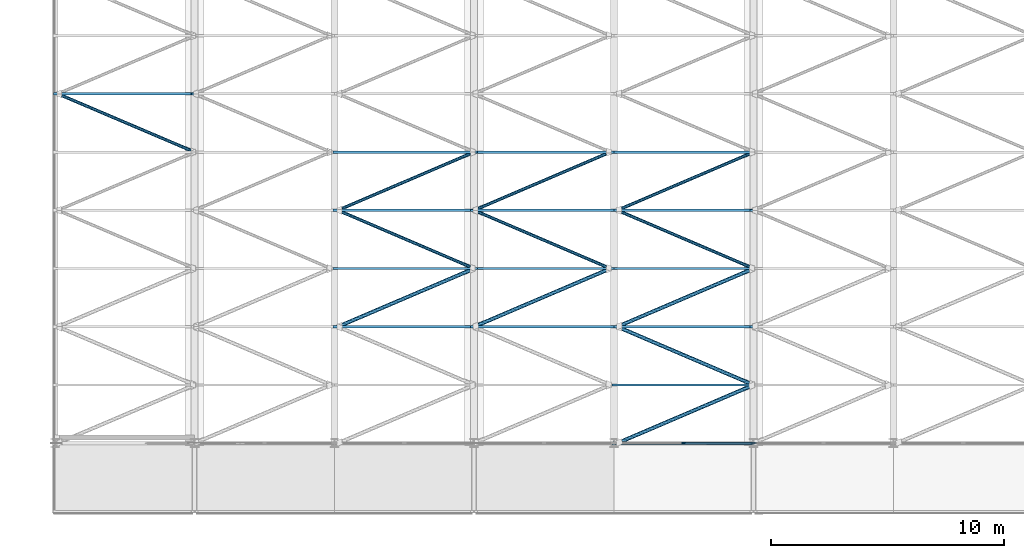
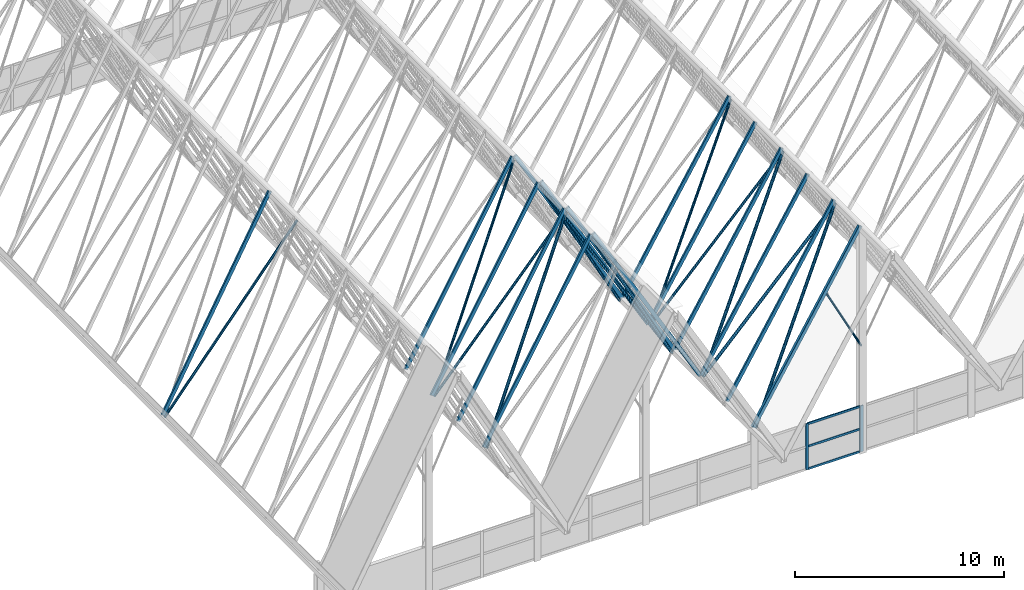
# One storey, part 14 of 483: 33 members, 1 beam, 2 elements without a shape of their own.
"""IFC4 building model written with IfcOpenShell, lengths in metres."""

from ifc_helpers import new_model, si_unit, direction, frame, origin, origin_2d, place, context, subcontext, project, spatial, rectangle, hollow_rectangle, hollow_circle, extrude, material, material_profile, profile_set, type_object, element, aggregate, save


model = new_model("IFC4")

# Units and contexts
model_context = context("Model", 3, precision=1e-05, world=origin(), true_north=direction((0.0, 1.0)))
body_context = subcontext(model_context, "Body", "Model", "MODEL_VIEW")
ifc_project = project(units=[si_unit("LENGTHUNIT", "METRE"), si_unit("AREAUNIT", "SQUARE_METRE"), si_unit("VOLUMEUNIT", "CUBIC_METRE"), si_unit("PLANEANGLEUNIT", "RADIAN"), si_unit("MASSUNIT", "GRAM", prefix="KILO")], contexts=[model_context])

# Site, building, storey
site_placement = place(None, origin())
site = spatial("IfcSite", under=ifc_project, at=site_placement, CompositionType="ELEMENT")
building_placement = place(site_placement, origin())
building = spatial("IfcBuilding", under=site, at=building_placement, Name="Parallax Yard Mobility Hub", CompositionType="ELEMENT")
storey_placement = place(building_placement, frame((0.0, 0.0, 13.199951171875)))
storey = spatial("IfcBuildingStorey", under=building, at=storey_placement, Name="L04", CompositionType="ELEMENT", Elevation=13.199951171875)

# Member
ifc_material_1 = material(Name="Steel ASTM A500 Gr C", Category="steel")
ifc_material_profile_1 = material_profile(ifc_material_1, hollow_circle(Radius=0.05712890625, WallThickness=0.006103515625, at=origin_2d()), Name="HSS114.3x6.0")
ifc_profile_set_1 = profile_set([ifc_material_profile_1], Name="Steel ASTM A500 Gr C")
member_type_1 = type_object("IfcMemberType", Name="Knee brace HSS114.3x6.0", PredefinedType="BRACE", material=ifc_profile_set_1)
member_1_placement = place(storey_placement, frame((39.0, 7.5, 6.2001953125), z_axis=(-0.460015544086, 0.0, 0.887910862193), x_axis=(0.0, -1.0, 0.0)))
element("IfcMember", 1, at=member_1_placement, inside=storey, type_object=member_type_1, Name="Gable knee brace F6 south west", PredefinedType="BRACE", context=body_context, shape_type="SweptSolid", body=[
    extrude(hollow_circle(Radius=0.05712890625, WallThickness=0.006103515625, at=origin_2d()), origin(), (0.0, 0.0, 1.0), 4.34765625),
])

# Curtain wall, members
ifc_material_2 = material(Name="Thermally broken aluminium curtain wall system", Category="aluminium")
curtain_wall_type = type_object("IfcCurtainWallType", Name="Curtain wall run 60 x 160 frame", PredefinedType="NOTDEFINED", material=ifc_material_2)
curtain_wall_1_placement = place(storey_placement, origin())
curtain_wall_1 = element("IfcCurtainWall", 2, at=curtain_wall_1_placement, inside=storey, type_object=curtain_wall_type, Name="Glazed gable end Bus and taxi deck south gable bay 5 level L04", PredefinedType="NOTDEFINED")
ifc_material_3 = material(Name="Extruded aluminium", Category="aluminium")
ifc_material_profile_2 = material_profile(ifc_material_3, rectangle(XDim=0.06005859375, YDim=0.159912109375, at=origin_2d()), Name="Mullion 60 x 160")
ifc_profile_set_2 = profile_set([ifc_material_profile_2], Name="Extruded aluminium")
member_type_2 = type_object("IfcMemberType", Name="Mullion 60 x 160", PredefinedType="MULLION", material=ifc_profile_set_2)
member_2_placement = place(storey_placement, frame((36.0, 7.5, 0.0), z_axis=(0.0, 0.0, 1.0), x_axis=(0.0, 1.0, 0.0)))
member_2 = element("IfcMember", 3, at=member_2_placement, type_object=member_type_2, Name="CW1 mullion 2", PredefinedType="MULLION", context=body_context, shape_type="SweptSolid", body=[
    extrude(rectangle(XDim=0.06005859375, YDim=0.159912109375, at=origin_2d()), origin(), (0.0, 0.0, 1.0), 2.68994140625),
])
member_3_placement = place(storey_placement, frame((38.969970703125, 7.5, 0.0), z_axis=(0.0, 0.0, 1.0), x_axis=(0.0, 1.0, 0.0)))
member_3 = element("IfcMember", 4, at=member_3_placement, type_object=member_type_2, Name="CW1 mullion 3", PredefinedType="MULLION", context=body_context, shape_type="SweptSolid", body=[
    extrude(rectangle(XDim=0.06005859375, YDim=0.159912109375, at=origin_2d()), origin(), (0.0, 0.0, 1.0), 2.68994140625),
])

# Curtain wall, member
curtain_wall_2_placement = place(storey_placement, origin())
curtain_wall_2 = element("IfcCurtainWall", 5, at=curtain_wall_2_placement, inside=storey, type_object=curtain_wall_type, Name="Glazed gable end Bus and taxi deck south gable bay 6 level L04", PredefinedType="NOTDEFINED")
member_4_placement = place(storey_placement, frame((39.030029296875, 7.5, 0.0), z_axis=(0.0, 0.0, 1.0), x_axis=(0.0, 1.0, 0.0)))
member_4 = element("IfcMember", 6, at=member_4_placement, type_object=member_type_2, Name="CW1 mullion 1", PredefinedType="MULLION", context=body_context, shape_type="SweptSolid", body=[
    extrude(rectangle(XDim=0.06005859375, YDim=0.159912109375, at=origin_2d()), origin(), (0.0, 0.0, 1.0), 2.68994140625),
])
aggregate(curtain_wall_2, [member_4])

# Members
ifc_material_profile_3 = material_profile(ifc_material_1, hollow_circle(Radius=0.06982421875, WallThickness=0.00634765625, at=origin_2d()), Name="HSS139.7x6.4")
ifc_profile_set_3 = profile_set([ifc_material_profile_3], Name="Steel ASTM A500 Gr C")
member_type_3 = type_object("IfcMemberType", Name="Plate diagonal HSS139.7x6.4", PredefinedType="BRACE", material=ifc_profile_set_3)
member_5_placement = place(storey_placement, frame((32.84765625, 15.0, 3.41357421875), z_axis=(-0.484498667157, 0.207133698718, 0.849915685452), x_axis=(-0.393103707527, -0.919494140888, 0.0)))
element("IfcMember", 7, at=member_5_placement, inside=storey, type_object=member_type_3, Name="Plate diagonal plate F4-F5 bay 4", PredefinedType="BRACE", context=body_context, shape_type="SweptSolid", body=[
    extrude(hollow_circle(Radius=0.06982421875, WallThickness=0.00634765625, at=origin_2d()), origin(), (0.0, 0.0, 1.0), 12.069580078125),
])
member_6_placement = place(storey_placement, frame((39.0, 15.0, 13.01513671875), z_axis=(-0.507735199294, 0.217067820673, -0.833718494833), x_axis=(-0.393103707527, -0.919494140888, 0.0)))
element("IfcMember", 8, at=member_6_placement, inside=storey, type_object=member_type_3, Name="Plate diagonal plate F5-F6 bay 4", PredefinedType="BRACE", context=body_context, shape_type="SweptSolid", body=[
    extrude(hollow_circle(Radius=0.06982421875, WallThickness=0.00634765625, at=origin_2d()), origin(), (0.0, 0.0, 1.0), 11.51708984375),
])
for number, where, z_axis, x_axis, name in (
    (9, (27.0, 15.0, 13.671630859375), (-0.484498667157, 0.207133698718, -0.849915685452), (-0.393103707527, -0.919494140888, 0.0), "Plate diagonal plate F3-F4 bay 4"),
    (10, (27.0, 17.5, 13.671630859375), (0.484498667157, 0.207133698718, -0.849915685452), (-0.393103707527, 0.919494140888, 0.0), "Plate diagonal plate F4-F5 bay 5"),
):
    element("IfcMember", number, at=place(storey_placement, frame(where, z_axis=z_axis, x_axis=x_axis)), inside=storey, type_object=member_type_3, Name=name, PredefinedType="BRACE", context=body_context, shape_type="SweptSolid", body=[
        extrude(hollow_circle(Radius=0.06982421875, WallThickness=0.00634765625, at=origin_2d()), origin(), (0.0, 0.0, 1.0), 12.069580078125),
    ])
member_7_placement = place(storey_placement, frame((33.15234375, 17.5, 3.4130859375), z_axis=(0.507735199294, 0.217067820673, 0.833718494833), x_axis=(-0.393103707527, 0.919494140888, 0.0)))
element("IfcMember", 11, at=member_7_placement, inside=storey, type_object=member_type_3, Name="Plate diagonal plate F5-F6 bay 5", PredefinedType="BRACE", context=body_context, shape_type="SweptSolid", body=[
    extrude(hollow_circle(Radius=0.06982421875, WallThickness=0.00634765625, at=origin_2d()), origin(), (0.0, 0.0, 1.0), 11.51708984375),
])
member_8_placement = place(storey_placement, frame((21.15234375, 17.5, 3.41357421875), z_axis=(0.484498667157, 0.207133698718, 0.849915685452), x_axis=(-0.393103707527, 0.919494140888, 0.0)))
element("IfcMember", 12, at=member_8_placement, inside=storey, type_object=member_type_3, Name="Plate diagonal plate F3-F4 bay 5", PredefinedType="BRACE", context=body_context, shape_type="SweptSolid", body=[
    extrude(hollow_circle(Radius=0.06982421875, WallThickness=0.00634765625, at=origin_2d()), origin(), (0.0, 0.0, 1.0), 12.069580078125),
])
member_9_placement = place(storey_placement, frame((15.0, 20.0, 14.328857421875), z_axis=(-0.462980370369, 0.19707844166, -0.864181268303), x_axis=(-0.391665406317, -0.920107716246, 0.0)))
element("IfcMember", 13, at=member_9_placement, inside=storey, type_object=member_type_3, Name="Plate diagonal plate F1-F2 bay 6", PredefinedType="BRACE", context=body_context, shape_type="SweptSolid", body=[
    extrude(hollow_circle(Radius=0.06982421875, WallThickness=0.00634765625, at=origin_2d()), origin(), (0.0, 0.0, 1.0), 12.685302734375),
])
ifc_material_profile_4 = material_profile(ifc_material_1, hollow_circle(Radius=0.084228515625, WallThickness=0.007080078125, at=origin_2d()), Name="HSS168.3x7.1")
ifc_profile_set_4 = profile_set([ifc_material_profile_4], Name="Steel ASTM A500 Gr C")
member_type_4 = type_object("IfcMemberType", Name="Plate diagonal HSS168.3x7.1", PredefinedType="BRACE", material=ifc_profile_set_4)
for number, where, z_axis, x_axis, name in (
    (14, (33.15234375, 7.5, 3.4130859375), (0.507735199294, 0.217067820673, 0.833718494833), (-0.393103707527, 0.919494140888, 0.0), "Plate diagonal plate F5-F6 bay 1"),
    (15, (39.0, 10.0, 13.01513671875), (-0.507735199294, 0.217067820673, -0.833718494833), (-0.393103707527, -0.919494140888, 0.0), "Plate diagonal plate F5-F6 bay 2"),
):
    element("IfcMember", number, at=place(storey_placement, frame(where, z_axis=z_axis, x_axis=x_axis)), inside=storey, type_object=member_type_4, Name=name, PredefinedType="BRACE", context=body_context, shape_type="SweptSolid", body=[
        extrude(hollow_circle(Radius=0.084228515625, WallThickness=0.007080078125, at=origin_2d()), origin(), (0.0, 0.0, 1.0), 11.51708984375),
    ])
member_10_placement = place(storey_placement, frame((27.0, 12.5, 13.671630859375), z_axis=(0.484498667157, 0.207133698718, -0.849915685452), x_axis=(-0.393103707527, 0.919494140888, 0.0)))
element("IfcMember", 16, at=member_10_placement, inside=storey, type_object=member_type_4, Name="Plate diagonal plate F4-F5 bay 3", PredefinedType="BRACE", context=body_context, shape_type="SweptSolid", body=[
    extrude(hollow_circle(Radius=0.084228515625, WallThickness=0.007080078125, at=origin_2d()), origin(), (0.0, 0.0, 1.0), 12.069580078125),
])
member_11_placement = place(storey_placement, frame((33.15234375, 12.5, 3.4130859375), z_axis=(0.507735199294, 0.217067820673, 0.833718494833), x_axis=(-0.393103707527, 0.919494140888, 0.0)))
element("IfcMember", 17, at=member_11_placement, inside=storey, type_object=member_type_4, Name="Plate diagonal plate F5-F6 bay 3", PredefinedType="BRACE", context=body_context, shape_type="SweptSolid", body=[
    extrude(hollow_circle(Radius=0.084228515625, WallThickness=0.007080078125, at=origin_2d()), origin(), (0.0, 0.0, 1.0), 11.51708984375),
])
member_12_placement = place(storey_placement, frame((21.15234375, 12.5, 3.41357421875), z_axis=(0.484498667157, 0.207133698718, 0.849915685452), x_axis=(-0.393103707527, 0.919494140888, 0.0)))
element("IfcMember", 18, at=member_12_placement, inside=storey, type_object=member_type_4, Name="Plate diagonal plate F3-F4 bay 3", PredefinedType="BRACE", context=body_context, shape_type="SweptSolid", body=[
    extrude(hollow_circle(Radius=0.084228515625, WallThickness=0.007080078125, at=origin_2d()), origin(), (0.0, 0.0, 1.0), 12.069580078125),
])

# Beam
ifc_material_profile_5 = material_profile(ifc_material_1, hollow_rectangle(XDim=0.15234375, YDim=0.203125, WallThickness=0.009521484375, at=origin_2d()), Name="HSS203x152x9.5")
ifc_profile_set_5 = profile_set([ifc_material_profile_5], Name="Steel ASTM A500 Gr C")
beam_type = type_object("IfcBeamType", Name="Roof edge beam HSS203x152x9.5", PredefinedType="SPANDREL", material=ifc_profile_set_5)
beam_placement = place(storey_placement, frame((33.016845703125, 7.5, 3.52001953125), z_axis=(0.520123935721, 0.0, 0.854090798153), x_axis=(0.0, 1.0, 0.0)))
element("IfcBeam", 19, at=beam_placement, inside=storey, type_object=beam_type, Name="Edge beam plate F5-F6 south gable", PredefinedType="SPANDREL", context=body_context, shape_type="SweptSolid", body=[
    extrude(hollow_rectangle(XDim=0.15234375, YDim=0.203125, WallThickness=0.009521484375, at=origin_2d()), origin(), (0.0, 0.0, 1.0), 11.376953125),
])

# Members
ifc_material_profile_6 = material_profile(ifc_material_1, hollow_rectangle(XDim=0.1015625, YDim=0.203125, WallThickness=0.00634765625, at=origin_2d()), Name="HSS203x102x6.4")
ifc_profile_set_6 = profile_set([ifc_material_profile_6], Name="Steel ASTM A500 Gr C")
member_type_5 = type_object("IfcMemberType", Name="Roof rafter HSS203x102x6.4", PredefinedType="RAFTER", material=ifc_profile_set_6)
member_13_placement = place(storey_placement, frame((33.016845703125, 10.0, 3.52001953125), z_axis=(0.520123935721, 0.0, 0.854090798153), x_axis=(0.0, 1.0, 0.0)))
element("IfcMember", 20, at=member_13_placement, inside=storey, type_object=member_type_5, Name="Roof rafter plate F5-F6 at y 10", PredefinedType="RAFTER", context=body_context, shape_type="SweptSolid", body=[
    extrude(hollow_rectangle(XDim=0.1015625, YDim=0.203125, WallThickness=0.00634765625, at=origin_2d()), origin(), (0.0, 0.0, 1.0), 11.376953125),
])
for number, where, z_axis, x_axis, name in (
    (21, (21.018310546875, 12.5, 3.5244140625), (0.495218927733, 0.0, 0.868768216278), (0.0, 1.0, 0.0), "Roof rafter plate F3-F4 at y 12.5"),
    (22, (27.064208984375, 12.5, 13.905517578125), (0.495218927733, 0.0, -0.868768216278), (0.0, 1.0, 0.0), "Roof rafter plate F4-F5 at y 12.5"),
):
    element("IfcMember", number, at=place(storey_placement, frame(where, z_axis=z_axis, x_axis=x_axis)), inside=storey, type_object=member_type_5, Name=name, PredefinedType="RAFTER", context=body_context, shape_type="SweptSolid", body=[
        extrude(hollow_rectangle(XDim=0.1015625, YDim=0.203125, WallThickness=0.00634765625, at=origin_2d()), origin(), (0.0, 0.0, 1.0), 11.94921875),
    ])
member_14_placement = place(storey_placement, frame((33.016845703125, 12.5, 3.52001953125), z_axis=(0.520123935721, 0.0, 0.854090798153), x_axis=(0.0, 1.0, 0.0)))
element("IfcMember", 23, at=member_14_placement, inside=storey, type_object=member_type_5, Name="Roof rafter plate F5-F6 at y 12.5", PredefinedType="RAFTER", context=body_context, shape_type="SweptSolid", body=[
    extrude(hollow_rectangle(XDim=0.1015625, YDim=0.203125, WallThickness=0.00634765625, at=origin_2d()), origin(), (0.0, 0.0, 1.0), 11.376953125),
])
for number, where, z_axis, x_axis, name in (
    (24, (21.018310546875, 15.0, 3.5244140625), (0.495218927733, 0.0, 0.868768216278), (0.0, 1.0, 0.0), "Roof rafter plate F3-F4 at y 15"),
    (25, (27.064208984375, 15.0, 13.905517578125), (0.495218927733, 0.0, -0.868768216278), (0.0, 1.0, 0.0), "Roof rafter plate F4-F5 at y 15"),
):
    element("IfcMember", number, at=place(storey_placement, frame(where, z_axis=z_axis, x_axis=x_axis)), inside=storey, type_object=member_type_5, Name=name, PredefinedType="RAFTER", context=body_context, shape_type="SweptSolid", body=[
        extrude(hollow_rectangle(XDim=0.1015625, YDim=0.203125, WallThickness=0.00634765625, at=origin_2d()), origin(), (0.0, 0.0, 1.0), 11.94921875),
    ])
member_15_placement = place(storey_placement, frame((33.016845703125, 15.0, 3.52001953125), z_axis=(0.520123935721, 0.0, 0.854090798153), x_axis=(0.0, 1.0, 0.0)))
element("IfcMember", 26, at=member_15_placement, inside=storey, type_object=member_type_5, Name="Roof rafter plate F5-F6 at y 15", PredefinedType="RAFTER", context=body_context, shape_type="SweptSolid", body=[
    extrude(hollow_rectangle(XDim=0.1015625, YDim=0.203125, WallThickness=0.00634765625, at=origin_2d()), origin(), (0.0, 0.0, 1.0), 11.376953125),
])
for number, where, z_axis, x_axis, name in (
    (27, (21.018310546875, 17.5, 3.5244140625), (0.495218927733, 0.0, 0.868768216278), (0.0, 1.0, 0.0), "Roof rafter plate F3-F4 at y 17.5"),
    (28, (27.064208984375, 17.5, 13.905517578125), (0.495218927733, 0.0, -0.868768216278), (0.0, 1.0, 0.0), "Roof rafter plate F4-F5 at y 17.5"),
):
    element("IfcMember", number, at=place(storey_placement, frame(where, z_axis=z_axis, x_axis=x_axis)), inside=storey, type_object=member_type_5, Name=name, PredefinedType="RAFTER", context=body_context, shape_type="SweptSolid", body=[
        extrude(hollow_rectangle(XDim=0.1015625, YDim=0.203125, WallThickness=0.00634765625, at=origin_2d()), origin(), (0.0, 0.0, 1.0), 11.94921875),
    ])
member_16_placement = place(storey_placement, frame((33.016845703125, 17.5, 3.52001953125), z_axis=(0.520123935721, 0.0, 0.854090798153), x_axis=(0.0, 1.0, 0.0)))
element("IfcMember", 29, at=member_16_placement, inside=storey, type_object=member_type_5, Name="Roof rafter plate F5-F6 at y 17.5", PredefinedType="RAFTER", context=body_context, shape_type="SweptSolid", body=[
    extrude(hollow_rectangle(XDim=0.1015625, YDim=0.203125, WallThickness=0.00634765625, at=origin_2d()), origin(), (0.0, 0.0, 1.0), 11.376953125),
])
for number, where, z_axis, x_axis, name in (
    (30, (21.018310546875, 20.0, 3.5244140625), (0.495218927733, 0.0, 0.868768216278), (0.0, 1.0, 0.0), "Roof rafter plate F3-F4 at y 20"),
    (31, (27.064208984375, 20.0, 13.905517578125), (0.495218927733, 0.0, -0.868768216278), (0.0, 1.0, 0.0), "Roof rafter plate F4-F5 at y 20"),
):
    element("IfcMember", number, at=place(storey_placement, frame(where, z_axis=z_axis, x_axis=x_axis)), inside=storey, type_object=member_type_5, Name=name, PredefinedType="RAFTER", context=body_context, shape_type="SweptSolid", body=[
        extrude(hollow_rectangle(XDim=0.1015625, YDim=0.203125, WallThickness=0.00634765625, at=origin_2d()), origin(), (0.0, 0.0, 1.0), 11.94921875),
    ])
member_17_placement = place(storey_placement, frame((33.016845703125, 20.0, 3.52001953125), z_axis=(0.520123935721, 0.0, 0.854090798153), x_axis=(0.0, 1.0, 0.0)))
element("IfcMember", 32, at=member_17_placement, inside=storey, type_object=member_type_5, Name="Roof rafter plate F5-F6 at y 20", PredefinedType="RAFTER", context=body_context, shape_type="SweptSolid", body=[
    extrude(hollow_rectangle(XDim=0.1015625, YDim=0.203125, WallThickness=0.00634765625, at=origin_2d()), origin(), (0.0, 0.0, 1.0), 11.376953125),
])
member_18_placement = place(storey_placement, frame((9.01953125, 22.5, 3.529052734375), z_axis=(0.472246823162, 0.0, 0.881466356711), x_axis=(0.0, 1.0, 0.0)))
element("IfcMember", 33, at=member_18_placement, inside=storey, type_object=member_type_5, Name="Roof rafter plate F1-F2 at y 22.5", PredefinedType="RAFTER", context=body_context, shape_type="SweptSolid", body=[
    extrude(hollow_rectangle(XDim=0.1015625, YDim=0.203125, WallThickness=0.00634765625, at=origin_2d()), origin(), (0.0, 0.0, 1.0), 12.531005859375),
])

# Member
ifc_material_profile_7 = material_profile(ifc_material_3, rectangle(XDim=0.06005859375, YDim=0.1201171875, at=origin_2d()), Name="Transom 60 x 120")
ifc_profile_set_7 = profile_set([ifc_material_profile_7], Name="Extruded aluminium")
member_type_6 = type_object("IfcMemberType", Name="Transom 60 x 120", PredefinedType="USERDEFINED", material=ifc_profile_set_7)
member_19_placement = place(storey_placement, frame((36.030029296875, 7.5, 0.030029296875), z_axis=(1.0, 0.0, 0.0), x_axis=(0.0, 1.0, 0.0)))
member_19 = element("IfcMember", 34, at=member_19_placement, type_object=member_type_6, Name="CW1 transom 2.1", ObjectType="TRANSOM", PredefinedType="USERDEFINED", context=body_context, shape_type="SweptSolid", body=[
    extrude(rectangle(XDim=0.06005859375, YDim=0.1201171875, at=origin_2d()), origin(), (0.0, 0.0, 1.0), 2.909912109375),
])

member_20_placement = place(storey_placement, frame((36.030029296875, 7.5, 1.344970703125), z_axis=(1.0, 0.0, 0.0), x_axis=(0.0, 1.0, 0.0)))
member_20 = element("IfcMember", 35, at=member_20_placement, type_object=member_type_6, Name="CW1 transom 2.2", ObjectType="TRANSOM", PredefinedType="USERDEFINED", context=body_context, shape_type="SweptSolid", body=[
    extrude(rectangle(XDim=0.06005859375, YDim=0.1201171875, at=origin_2d()), origin(), (0.0, 0.0, 1.0), 2.909912109375),
])

member_21_placement = place(storey_placement, frame((36.030029296875, 7.5, 2.66015625), z_axis=(1.0, 0.0, 0.0), x_axis=(0.0, 1.0, 0.0)))
member_21 = element("IfcMember", 36, at=member_21_placement, type_object=member_type_6, Name="CW1 transom 2.3", ObjectType="TRANSOM", PredefinedType="USERDEFINED", context=body_context, shape_type="SweptSolid", body=[
    extrude(rectangle(XDim=0.06005859375, YDim=0.1201171875, at=origin_2d()), origin(), (0.0, 0.0, 1.0), 2.909912109375),
])

aggregate(curtain_wall_1, [member_2, member_3, member_19, member_20, member_21])

save(model, "model.ifc")
